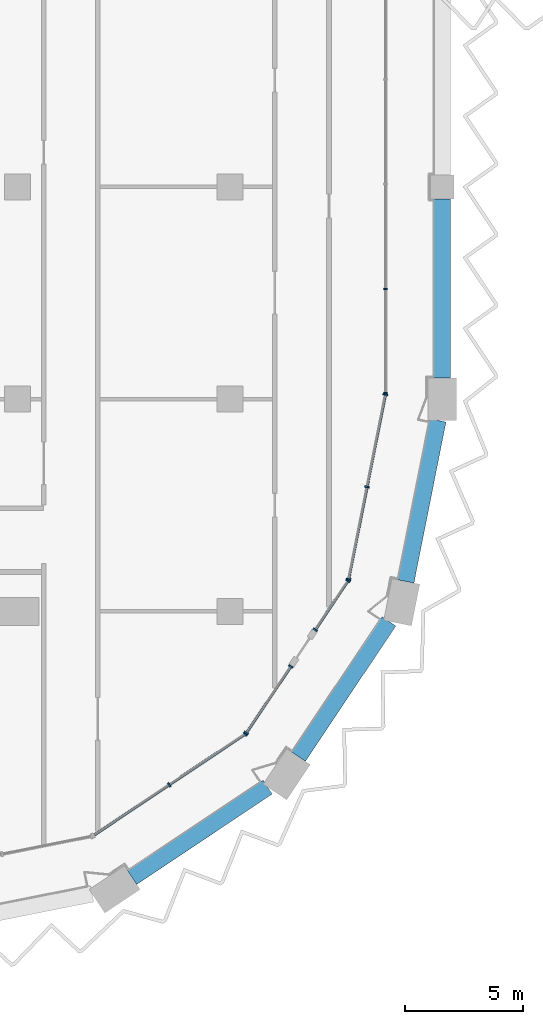
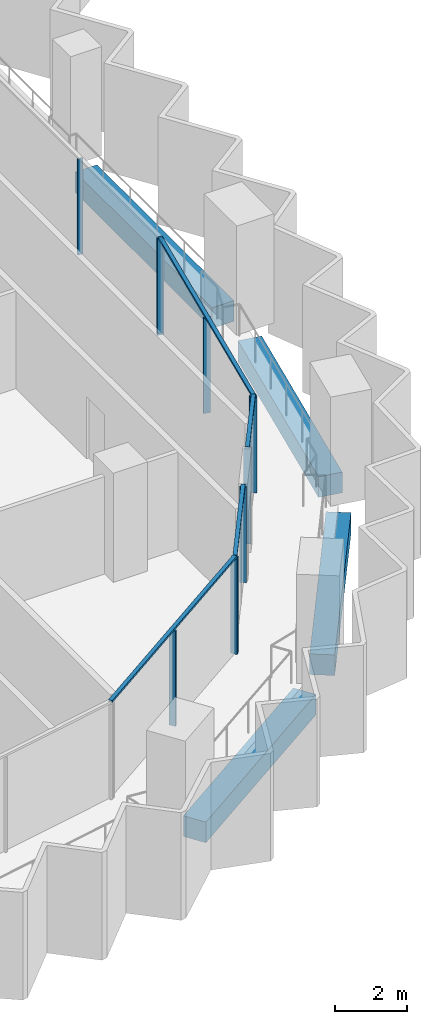
# One storey, part 4 of 19: 15 members, 4 beams, 5 elements without a shape of their own.
"""IFC4 building model written with IfcOpenShell, lengths in metres."""

import ifcopenshell
import ifcopenshell.guid

model = None  # the IFC model being written
_history = None  # IfcOwnerHistory: only IFC2X3 demands one
_inside = {}  # id of a spatial element -> (the spatial element, [elements in it])
_under = {}  # id of a project, library or spatial element -> (it, [spatial elements below it])
_declared = {}  # id of a project -> (the project, [libraries it declares])
_typed = {}  # id of a type object -> (the type object, [elements of that type])
_made_of = {}  # id of a material, layer set ... -> (it, [elements and type objects made of it])


def new_model(schema):
    """Start an empty IFC model of exactly this schema.

    Asked for "IFC4X3", IfcOpenShell would pick the latest addendum, in which some entities
    have other attributes; the version numbers below select the first issue.
    IFC2X3 requires an IfcOwnerHistory on every rooted entity: one is made here for all.
    """
    global model, _history
    if schema == "IFC4X3":
        model = ifcopenshell.file(schema_version=(4, 3, 0, 0))
    else:
        model = ifcopenshell.file(schema=schema)
    _inside.clear()
    _under.clear()
    _declared.clear()
    _typed.clear()
    _made_of.clear()
    _history = None
    if model.schema == "IFC2X3":
        org = make("IfcOrganization", Name="unknown")
        user = make(
            "IfcPersonAndOrganization",
            ThePerson=make("IfcPerson", FamilyName="unknown"),
            TheOrganization=org,
        )
        app = make(
            "IfcApplication",
            ApplicationDeveloper=org,
            Version="unknown",
            ApplicationFullName="unknown",
            ApplicationIdentifier="unknown",
        )
        _history = make(
            "IfcOwnerHistory",
            OwningUser=user,
            OwningApplication=app,
            ChangeAction="ADDED",
            CreationDate=0,
        )
    return model


def make(cls, **values):
    """One entity of the class cls with the attributes given. An attribute that is None is left unset."""
    return model.create_entity(
        cls, **{name: value for name, value in values.items() if value is not None}
    )


def rooted(cls, **values):
    """An entity with a GlobalId (a new one), such as an element, a storey or a relation."""
    return make(cls, GlobalId=ifcopenshell.guid.new(), OwnerHistory=_history, **values)


def si_unit(unit_type, name, prefix=None):
    """IfcSIUnit, for example si_unit("LENGTHUNIT", "METRE", prefix="MILLI")."""
    return make("IfcSIUnit", UnitType=unit_type, Prefix=prefix, Name=name)


def assignment(units):
    """IfcUnitAssignment: the units of a project."""
    return None if units is None else make("IfcUnitAssignment", Units=units)


def point(xyz):
    """IfcCartesianPoint."""
    return None if xyz is None else make("IfcCartesianPoint", Coordinates=xyz)


def direction(xyz):
    """IfcDirection."""
    return None if xyz is None else make("IfcDirection", DirectionRatios=xyz)


def frame(location, z_axis=None, x_axis=None):
    """IfcAxis2Placement3D, a coordinate frame: its origin and axes. An axis left out is left unset."""
    return make(
        "IfcAxis2Placement3D",
        Location=point(location),
        Axis=direction(z_axis),
        RefDirection=direction(x_axis),
    )


def frame_2d(location, x_axis=None):
    """IfcAxis2Placement2D, a coordinate frame in the plane: its origin and x axis."""
    return make(
        "IfcAxis2Placement2D", Location=point(location), RefDirection=direction(x_axis)
    )


def origin():
    """The frame at (0, 0, 0) with its axes left unset."""
    return frame((0.0, 0.0, 0.0))


def origin_2d():
    """The frame at (0, 0) in the plane with its x axis left unset."""
    return frame_2d((0.0, 0.0))


def place(relative_to, where):
    """IfcLocalPlacement: puts the frame where relative to a parent placement (None: the world)."""
    return make(
        "IfcLocalPlacement", PlacementRelTo=relative_to, RelativePlacement=where
    )


def context(
    kind, dimensions, precision=None, world=None, true_north=None, identifier=None
):
    """IfcGeometricRepresentationContext, for example the 3D "Model" context."""
    return make(
        "IfcGeometricRepresentationContext",
        ContextIdentifier=identifier,
        ContextType=kind,
        CoordinateSpaceDimension=dimensions,
        Precision=precision,
        WorldCoordinateSystem=world,
        TrueNorth=true_north,
    )


def subcontext(parent, identifier, kind, view, scale=None):
    """IfcGeometricRepresentationSubContext, for example "Body" below "Model"."""
    return make(
        "IfcGeometricRepresentationSubContext",
        ContextIdentifier=identifier,
        ContextType=kind,
        ParentContext=parent,
        TargetScale=scale,
        TargetView=view,
    )


def project(units=None, contexts=None):
    """IfcProject with its units and contexts."""
    return rooted(
        "IfcProject",
        Name="project",
        RepresentationContexts=contexts,
        UnitsInContext=assignment(units),
    )


def spatial(cls, under=None, at=None, **own):
    """A site, building, storey or space (cls), placed at a placement, below another one or the project."""
    s = rooted(cls, ObjectPlacement=at, **own)
    if under is not None:
        _under.setdefault(under.id(), (under, []))[1].append(s)
    return s


def profile(cls, at=None, kind="AREA", **sizes):
    """A parametric profile (cls). Its sizes go by their IFC names, for example OverallWidth=200.0."""
    return make(cls, ProfileType=kind, Position=at, **sizes)


def rectangle(**sizes):
    """IfcRectangleProfileDef."""
    return profile("IfcRectangleProfileDef", **sizes)


def extrude(swept, where, along, depth):
    """IfcExtrudedAreaSolid: the profile swept, set in the frame where, extruded along a direction by depth."""
    return make(
        "IfcExtrudedAreaSolid",
        SweptArea=swept,
        Position=where,
        ExtrudedDirection=direction(along),
        Depth=depth,
    )


def shape(context_of_items, identifier, shape_type, items):
    """IfcShapeRepresentation: the items that make up one representation, for example the "Body"."""
    return make(
        "IfcShapeRepresentation",
        ContextOfItems=context_of_items,
        RepresentationIdentifier=identifier,
        RepresentationType=shape_type,
        Items=items,
    )


def material(Name=None, Category=None):
    """IfcMaterial."""
    return make("IfcMaterial", Name=Name, Category=Category)


def material_profile(
    of_material, cross_section, Name=None, Category=None, Priority=None
):
    """IfcMaterialProfile: a cross section and its material."""
    return make(
        "IfcMaterialProfile",
        Name=Name,
        Material=of_material,
        Profile=cross_section,
        Priority=Priority,
        Category=Category,
    )


def profile_set(profiles, Name=None, composite=None):
    """IfcMaterialProfileSet."""
    return make(
        "IfcMaterialProfileSet",
        Name=Name,
        MaterialProfiles=profiles,
        CompositeProfile=composite,
    )


def made_of(thing, what):
    """Note that an element or type object is made of a material, layer set ...; save() writes the relation."""
    if what is not None:
        _made_of.setdefault(what.id(), (what, []))[1].append(thing)
    return thing


def type_object(cls, material=None, **own):
    """A type object (cls), such as IfcWallType, which elements share."""
    return made_of(rooted(cls, **own), material)


def element(
    cls,
    number,
    at=None,
    inside=None,
    cuts=None,
    type_object=None,
    material=None,
    context=None,
    identifier="Body",
    shape_type=None,
    held_by="IfcProductDefinitionShape",
    body=None,
    shapes=None,
    **own,
):
    """One element of the class cls, such as IfcWall. Its Tag is "e" and its number.

    at: its placement. inside: the storey or other place that contains it. cuts: it is an
    opening in that element (IfcRelVoidsElement). A single representation is given by context,
    identifier, shape_type and body (its items); several are given by shapes. held_by: the class
    of the entity that holds the representations. save() writes the other relations.
    """
    e = rooted(cls, Tag="e%d" % number, ObjectPlacement=at, **own)
    if body is not None:
        shapes = [shape(context, identifier, shape_type, body)]
    if shapes is not None:
        e.Representation = make(held_by, Representations=shapes)
    if inside is not None:
        _inside.setdefault(inside.id(), (inside, []))[1].append(e)
    if cuts is not None:
        rooted(
            "IfcRelVoidsElement", RelatingBuildingElement=cuts, RelatedOpeningElement=e
        )
    if type_object is not None:
        _typed.setdefault(type_object.id(), (type_object, []))[1].append(e)
    return made_of(e, material)


def aggregate(whole, parts):
    """IfcRelAggregates: a whole, such as a stair, and the parts it consists of."""
    return rooted("IfcRelAggregates", RelatingObject=whole, RelatedObjects=parts)


def save(model, path):
    """Write the relations noted so far, then the file.

    IfcRelAggregates (storeys below a building ...), IfcRelContainedInSpatialStructure (elements
    in a storey), IfcRelDefinesByType, IfcRelAssociatesMaterial and IfcRelDeclares: one each for
    every whole, place, type object, material and project.
    """
    for whole, parts in _under.values():
        aggregate(whole, parts)
    for where, things in _inside.values():
        rooted(
            "IfcRelContainedInSpatialStructure",
            RelatedElements=things,
            RelatingStructure=where,
        )
    for kind, things in _typed.values():
        rooted("IfcRelDefinesByType", RelatedObjects=things, RelatingType=kind)
    for what, things in _made_of.values():
        rooted("IfcRelAssociatesMaterial", RelatedObjects=things, RelatingMaterial=what)
    for by, libraries in _declared.values():
        rooted("IfcRelDeclares", RelatingContext=by, RelatedDefinitions=libraries)
    model.write(path)


model = new_model("IFC4")

# Units and contexts
model_context = context("Model", 3, precision=1e-05, world=origin(), true_north=direction((0.0, 1.0)))
body_context = subcontext(model_context, "Body", "Model", "MODEL_VIEW")
ifc_project = project(units=[si_unit("LENGTHUNIT", "METRE"), si_unit("AREAUNIT", "SQUARE_METRE"), si_unit("VOLUMEUNIT", "CUBIC_METRE"), si_unit("PLANEANGLEUNIT", "RADIAN"), si_unit("MASSUNIT", "GRAM", prefix="KILO")], contexts=[model_context])

# Site, building, storey
site_placement = place(None, origin())
site = spatial("IfcSite", under=ifc_project, at=site_placement, CompositionType="ELEMENT")
building_placement = place(site_placement, origin())
building = spatial("IfcBuilding", under=site, at=building_placement, Name="Hunhe Ridgeline Campus", CompositionType="ELEMENT")
storey_placement = place(building_placement, frame((0.0, 0.0, 219.800048828125)))
storey = spatial("IfcBuildingStorey", under=building, at=storey_placement, Name="L56", CompositionType="ELEMENT", Elevation=219.800048828125)

# Curtain wall, members
ifc_material_1 = material(Name="Aluminium 6063", Category="aluminium")
curtain_wall_type_1 = type_object("IfcCurtainWallType", Name="Curtain wall CW-1", PredefinedType="NOTDEFINED", material=ifc_material_1)
curtain_wall_1_placement = place(storey_placement, origin())
curtain_wall_1 = element("IfcCurtainWall", 1, at=curtain_wall_1_placement, inside=storey, type_object=curtain_wall_type_1, Name="Curtain wall 11", PredefinedType="NOTDEFINED")
ifc_material_profile_1 = material_profile(ifc_material_1, rectangle(XDim=0.159912109375, YDim=0.06005859375, at=origin_2d()))
ifc_profile_set_1 = profile_set([ifc_material_profile_1], Name="Aluminium 6063")
member_type_1 = type_object("IfcMemberType", Name="CW-1 aluminium mullion", PredefinedType="MULLION", material=ifc_profile_set_1)
member_1_placement = place(storey_placement, frame((42.59912109375, 36.266357421875, 0.0), z_axis=(0.0, 0.0, 1.0), x_axis=(-0.999999999978, 6.642653e-06, 0.0)))
member_1 = element("IfcMember", 2, at=member_1_placement, type_object=member_type_1, Name="CW-1 mullion 1", PredefinedType="MULLION", context=body_context, shape_type="SweptSolid", body=[
    extrude(rectangle(XDim=0.159912109375, YDim=0.06005859375, at=origin_2d()), origin(), (0.0, 0.0, 1.0), 3.239990234375),
])
member_2_placement = place(storey_placement, frame((42.59912109375, 40.677490234375, 0.0), z_axis=(0.0, 0.0, 1.0), x_axis=(-0.999999999978, 6.642653e-06, 0.0)))
member_2 = element("IfcMember", 3, at=member_2_placement, type_object=member_type_1, Name="CW-1 mullion 2", PredefinedType="MULLION", context=body_context, shape_type="SweptSolid", body=[
    extrude(rectangle(XDim=0.159912109375, YDim=0.06005859375, at=origin_2d()), origin(), (0.0, 0.0, 1.0), 3.239990234375),
])
aggregate(curtain_wall_1, [member_1, member_2])

curtain_wall_type_2 = type_object("IfcCurtainWallType", Name="Curtain wall CW-5", PredefinedType="NOTDEFINED", material=ifc_material_1)
curtain_wall_2_placement = place(storey_placement, origin())
curtain_wall_2 = element("IfcCurtainWall", 4, at=curtain_wall_2_placement, inside=storey, type_object=curtain_wall_type_2, Name="Curtain wall 07", PredefinedType="NOTDEFINED")
ifc_material_profile_2 = material_profile(ifc_material_1, rectangle(XDim=0.199951171875, YDim=0.070068359375, at=origin_2d()))
ifc_profile_set_2 = profile_set([ifc_material_profile_2], Name="Aluminium 6063")
member_type_2 = type_object("IfcMemberType", Name="CW-5 aluminium mullion", PredefinedType="MULLION", material=ifc_profile_set_2)
member_3_placement = place(storey_placement, frame((33.42626953125, 19.647705078125, 0.0), z_axis=(0.0, 0.0, 1.0), x_axis=(-0.555570274596, 0.831469584522, 0.0)))
member_3 = element("IfcMember", 5, at=member_3_placement, type_object=member_type_2, Name="CW-5 mullion 2", PredefinedType="MULLION", context=body_context, shape_type="SweptSolid", body=[
    extrude(rectangle(XDim=0.199951171875, YDim=0.070068359375, at=origin_2d()), origin(), (0.0, 0.0, 1.0), 3.22998046875),
])
member_4_placement = place(storey_placement, frame((36.649658203125, 21.8017578125, 0.0), z_axis=(0.0, 0.0, 1.0), x_axis=(-0.555570274596, 0.831469584522, 0.0)))
member_4 = element("IfcMember", 6, at=member_4_placement, type_object=member_type_2, Name="CW-5 mullion 3", PredefinedType="MULLION", context=body_context, shape_type="SweptSolid", body=[
    extrude(rectangle(XDim=0.199951171875, YDim=0.070068359375, at=origin_2d()), origin(), (0.0, 0.0, 1.0), 3.22998046875),
])

curtain_wall_3_placement = place(storey_placement, origin())
curtain_wall_3 = element("IfcCurtainWall", 7, at=curtain_wall_3_placement, inside=storey, type_object=curtain_wall_type_2, Name="Curtain wall 08", PredefinedType="NOTDEFINED")
member_5_placement = place(storey_placement, frame((36.6982421875, 21.850341796875, 0.0), z_axis=(0.0, 0.0, 1.0), x_axis=(-0.831469595944, 0.555570257501, 0.0)))
member_5 = element("IfcMember", 8, at=member_5_placement, type_object=member_type_2, Name="CW-5 mullion 1", PredefinedType="MULLION", context=body_context, shape_type="SweptSolid", body=[
    extrude(rectangle(XDim=0.199951171875, YDim=0.070068359375, at=origin_2d()), origin(), (0.0, 0.0, 1.0), 3.22998046875),
])
member_6_placement = place(storey_placement, frame((38.582763671875, 24.67041015625, 0.0), z_axis=(0.0, 0.0, 1.0), x_axis=(-0.831469595944, 0.555570257501, 0.0)))
member_6 = element("IfcMember", 9, at=member_6_placement, type_object=member_type_2, Name="CW-5 mullion 2", PredefinedType="MULLION", context=body_context, shape_type="SweptSolid", body=[
    extrude(rectangle(XDim=0.199951171875, YDim=0.070068359375, at=origin_2d()), origin(), (0.0, 0.0, 1.0), 3.22998046875),
])

curtain_wall_4_placement = place(storey_placement, origin())
curtain_wall_4 = element("IfcCurtainWall", 10, at=curtain_wall_4_placement, inside=storey, type_object=curtain_wall_type_2, Name="Curtain wall 09", PredefinedType="NOTDEFINED")
member_7_placement = place(storey_placement, frame((39.62158203125, 26.225341796875, 0.0), z_axis=(0.0, 0.0, 1.0), x_axis=(-0.831469510353, 0.555570385598, 0.0)))
member_7 = element("IfcMember", 11, at=member_7_placement, type_object=member_type_2, Name="CW-5 mullion 1", PredefinedType="MULLION", context=body_context, shape_type="SweptSolid", body=[
    extrude(rectangle(XDim=0.199951171875, YDim=0.070068359375, at=origin_2d()), origin(), (0.0, 0.0, 1.0), 3.22998046875),
])
member_8_placement = place(storey_placement, frame((41.006103515625, 28.29736328125, 0.0), z_axis=(0.0, 0.0, 1.0), x_axis=(-0.831469510353, 0.555570385598, 0.0)))
member_8 = element("IfcMember", 12, at=member_8_placement, type_object=member_type_2, Name="CW-5 mullion 2", PredefinedType="MULLION", context=body_context, shape_type="SweptSolid", body=[
    extrude(rectangle(XDim=0.199951171875, YDim=0.070068359375, at=origin_2d()), origin(), (0.0, 0.0, 1.0), 3.22998046875),
])

curtain_wall_5_placement = place(storey_placement, origin())
curtain_wall_5 = element("IfcCurtainWall", 13, at=curtain_wall_5_placement, inside=storey, type_object=curtain_wall_type_2, Name="Curtain wall 10", PredefinedType="NOTDEFINED")
member_9_placement = place(storey_placement, frame((41.032470703125, 28.36083984375, 0.0), z_axis=(0.0, 0.0, 1.0), x_axis=(-0.980785284939, 0.195090299215, 0.0)))
member_9 = element("IfcMember", 14, at=member_9_placement, type_object=member_type_2, Name="CW-5 mullion 1", PredefinedType="MULLION", context=body_context, shape_type="SweptSolid", body=[
    extrude(rectangle(XDim=0.199951171875, YDim=0.070068359375, at=origin_2d()), origin(), (0.0, 0.0, 1.0), 3.22998046875),
])
member_10_placement = place(storey_placement, frame((41.812255859375, 32.281494140625, 0.0), z_axis=(0.0, 0.0, 1.0), x_axis=(-0.980785284939, 0.195090299215, 0.0)))
member_10 = element("IfcMember", 15, at=member_10_placement, type_object=member_type_2, Name="CW-5 mullion 2", PredefinedType="MULLION", context=body_context, shape_type="SweptSolid", body=[
    extrude(rectangle(XDim=0.199951171875, YDim=0.070068359375, at=origin_2d()), origin(), (0.0, 0.0, 1.0), 3.22998046875),
])
member_11_placement = place(storey_placement, frame((42.59228515625, 36.2021484375, 0.0), z_axis=(0.0, 0.0, 1.0), x_axis=(-0.980785284939, 0.195090299215, 0.0)))
member_11 = element("IfcMember", 16, at=member_11_placement, type_object=member_type_2, Name="CW-5 mullion 3", PredefinedType="MULLION", context=body_context, shape_type="SweptSolid", body=[
    extrude(rectangle(XDim=0.199951171875, YDim=0.070068359375, at=origin_2d()), origin(), (0.0, 0.0, 1.0), 3.22998046875),
])

# Member
ifc_material_profile_3 = material_profile(ifc_material_1, rectangle(XDim=0.1201171875, YDim=0.070068359375, at=origin_2d()))
ifc_profile_set_3 = profile_set([ifc_material_profile_3], Name="Aluminium 6063")
member_type_3 = type_object("IfcMemberType", Name="CW-5 aluminium transom", PredefinedType="USERDEFINED", material=ifc_profile_set_3)
member_12_placement = place(storey_placement, frame((30.173583984375, 17.474365234375, 3.264892578125), z_axis=(0.831473763475, 0.5555640203, 0.0), x_axis=(-0.5555640203, 0.831473763475, 0.0)))
member_12 = element("IfcMember", 17, at=member_12_placement, type_object=member_type_3, Name="CW-5 transom 1", ObjectType="TRANSOM", PredefinedType="USERDEFINED", context=body_context, shape_type="SweptSolid", body=[
    extrude(rectangle(XDim=0.1201171875, YDim=0.070068359375, at=origin_2d()), origin(), (0.0, 0.0, 1.0), 7.823974609375),
])

aggregate(curtain_wall_2, [member_12, member_3, member_4])

member_13_placement = place(storey_placement, frame((36.678955078125, 21.821044921875, 3.264892578125), z_axis=(0.555546133463, 0.831485714606, 0.0), x_axis=(-0.831485714606, 0.555546133463, 0.0)))
member_13 = element("IfcMember", 18, at=member_13_placement, type_object=member_type_3, Name="CW-5 transom 1", ObjectType="TRANSOM", PredefinedType="USERDEFINED", context=body_context, shape_type="SweptSolid", body=[
    extrude(rectangle(XDim=0.1201171875, YDim=0.070068359375, at=origin_2d()), origin(), (0.0, 0.0, 1.0), 3.462158203125),
])

aggregate(curtain_wall_3, [member_13, member_5, member_6])

member_14_placement = place(storey_placement, frame((39.602294921875, 26.1962890625, 3.264892578125), z_axis=(0.555579547735, 0.831463388334, 0.0), x_axis=(-0.831463388334, 0.555579547735, 0.0)))
member_14 = element("IfcMember", 19, at=member_14_placement, type_object=member_type_3, Name="CW-5 transom 1", ObjectType="TRANSOM", PredefinedType="USERDEFINED", context=body_context, shape_type="SweptSolid", body=[
    extrude(rectangle(XDim=0.1201171875, YDim=0.070068359375, at=origin_2d()), origin(), (0.0, 0.0, 1.0), 2.56201171875),
])

aggregate(curtain_wall_4, [member_14, member_7, member_8])

member_15_placement = place(storey_placement, frame((41.025634765625, 28.326416015625, 3.264892578125), z_axis=(0.195097290093, 0.980783894341, 0.0), x_axis=(-0.980783894341, 0.195097290093, 0.0)))
member_15 = element("IfcMember", 20, at=member_15_placement, type_object=member_type_3, Name="CW-5 transom 1", ObjectType="TRANSOM", PredefinedType="USERDEFINED", context=body_context, shape_type="SweptSolid", body=[
    extrude(rectangle(XDim=0.1201171875, YDim=0.070068359375, at=origin_2d()), origin(), (0.0, 0.0, 1.0), 8.065185546875),
])

aggregate(curtain_wall_5, [member_15, member_9, member_10, member_11])

# Beams
ifc_material_2 = material(Name="Concrete C50", Category="concrete")
ifc_material_profile_4 = material_profile(ifc_material_2, rectangle(XDim=0.699951171875, YDim=0.699951171875, at=origin_2d()))
ifc_profile_set_4 = profile_set([ifc_material_profile_4], Name="Concrete C50")
beam_type = type_object("IfcBeamType", Name="RC spandrel beam 700x700 Concrete C50", PredefinedType="SPANDREL", material=ifc_profile_set_4)
for number, where, z_axis, x_axis, name in (
    (21, (31.858642578125, 15.712646484375, -0.60009765625), (0.831467796868, 0.55557295, 0.0), (-0.55557295, 0.831467796868, 0.0), "Spandrel beam B3-6 L56"),
    (22, (38.909912109375, 20.83837890625, -0.60009765625), (0.55557295, 0.831467796868, 0.0), (-0.831467796868, 0.55557295, 0.0), "Spandrel beam B3-7 L56"),
):
    element("IfcBeam", number, at=place(storey_placement, frame(where, z_axis=z_axis, x_axis=x_axis)), inside=storey, type_object=beam_type, Name=name, PredefinedType="SPANDREL", context=body_context, shape_type="SweptSolid", body=[
        extrude(rectangle(XDim=0.699951171875, YDim=0.699951171875, at=origin_2d()), origin(), (0.0, 0.0, 1.0), 6.905029296875),
    ])
beam_1_placement = place(storey_placement, frame((43.462890625, 28.272216796875, -0.60009765625), z_axis=(0.195090923217, 0.980785160817, 0.0), x_axis=(-0.980785160817, 0.195090923217, 0.0)))
element("IfcBeam", 23, at=beam_1_placement, inside=storey, type_object=beam_type, Name="Spandrel beam B3-8 L56", PredefinedType="SPANDREL", context=body_context, shape_type="SweptSolid", body=[
    extrude(rectangle(XDim=0.699951171875, YDim=0.699951171875, at=origin_2d()), origin(), (0.0, 0.0, 1.0), 6.961669921875),
])
beam_2_placement = place(storey_placement, frame((45.0, 36.89990234375, -0.60009765625), z_axis=(0.0, 1.0, 0.0), x_axis=(-1.0, 0.0, 0.0)))
element("IfcBeam", 24, at=beam_2_placement, inside=storey, type_object=beam_type, Name="Spandrel beam B3-9 L56", PredefinedType="SPANDREL", context=body_context, shape_type="SweptSolid", body=[
    extrude(rectangle(XDim=0.699951171875, YDim=0.699951171875, at=origin_2d()), origin(), (0.0, 0.0, 1.0), 7.60009765625),
])

save(model, "model.ifc")
